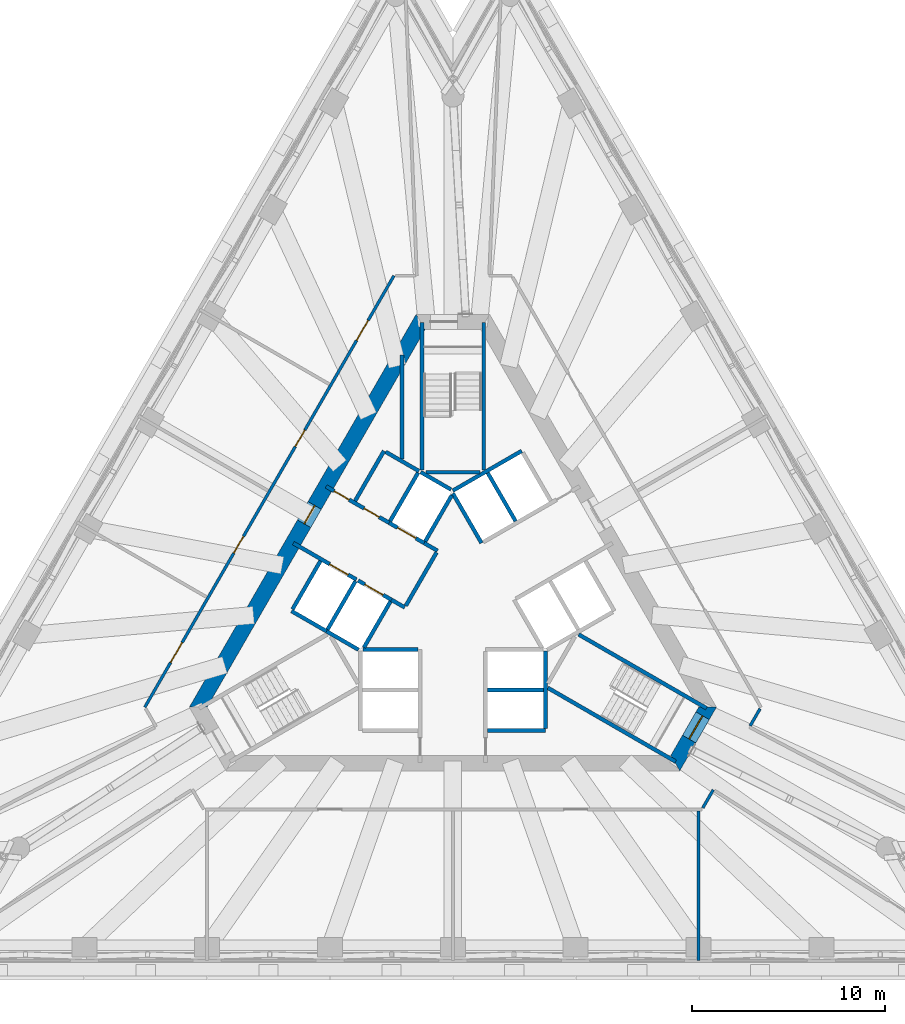
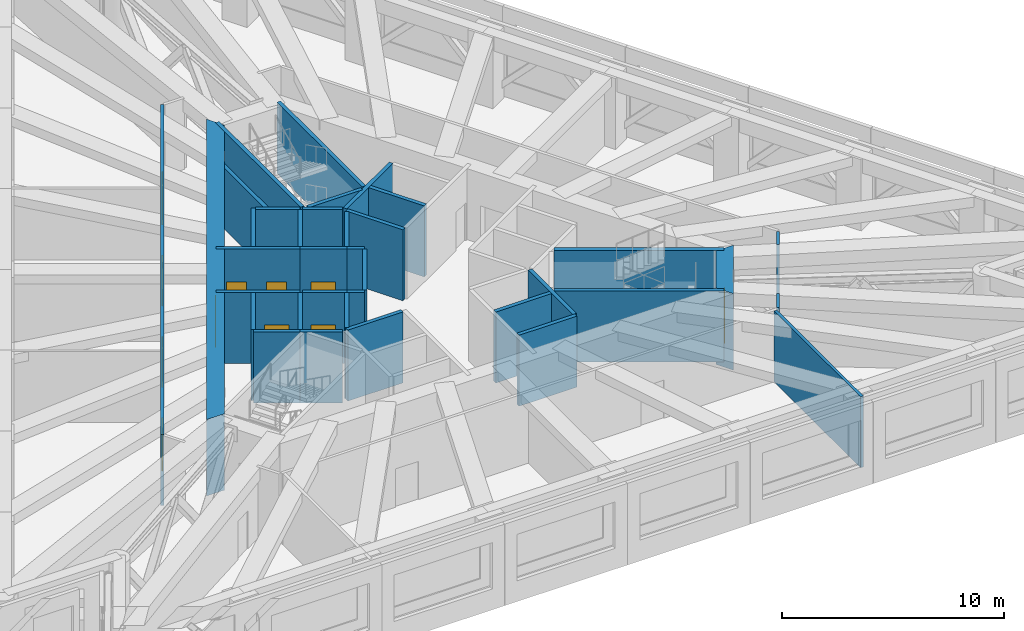
# One storey, part 8 of 13: 36 walls, 11 doors, 11 openings.
"""IFC4 building model written with IfcOpenShell, lengths in metres."""

import ifcopenshell
import ifcopenshell.guid

model = None  # the IFC model being written
_history = None  # IfcOwnerHistory: only IFC2X3 demands one
_inside = {}  # id of a spatial element -> (the spatial element, [elements in it])
_under = {}  # id of a project, library or spatial element -> (it, [spatial elements below it])
_declared = {}  # id of a project -> (the project, [libraries it declares])
_typed = {}  # id of a type object -> (the type object, [elements of that type])
_made_of = {}  # id of a material, layer set ... -> (it, [elements and type objects made of it])


def new_model(schema):
    """Start an empty IFC model of exactly this schema.

    Asked for "IFC4X3", IfcOpenShell would pick the latest addendum, in which some entities
    have other attributes; the version numbers below select the first issue.
    IFC2X3 requires an IfcOwnerHistory on every rooted entity: one is made here for all.
    """
    global model, _history
    if schema == "IFC4X3":
        model = ifcopenshell.file(schema_version=(4, 3, 0, 0))
    else:
        model = ifcopenshell.file(schema=schema)
    _inside.clear()
    _under.clear()
    _declared.clear()
    _typed.clear()
    _made_of.clear()
    _history = None
    if model.schema == "IFC2X3":
        org = make("IfcOrganization", Name="unknown")
        user = make(
            "IfcPersonAndOrganization",
            ThePerson=make("IfcPerson", FamilyName="unknown"),
            TheOrganization=org,
        )
        app = make(
            "IfcApplication",
            ApplicationDeveloper=org,
            Version="unknown",
            ApplicationFullName="unknown",
            ApplicationIdentifier="unknown",
        )
        _history = make(
            "IfcOwnerHistory",
            OwningUser=user,
            OwningApplication=app,
            ChangeAction="ADDED",
            CreationDate=0,
        )
    return model


def make(cls, **values):
    """One entity of the class cls with the attributes given. An attribute that is None is left unset."""
    return model.create_entity(
        cls, **{name: value for name, value in values.items() if value is not None}
    )


def rooted(cls, **values):
    """An entity with a GlobalId (a new one), such as an element, a storey or a relation."""
    return make(cls, GlobalId=ifcopenshell.guid.new(), OwnerHistory=_history, **values)


def si_unit(unit_type, name, prefix=None):
    """IfcSIUnit, for example si_unit("LENGTHUNIT", "METRE", prefix="MILLI")."""
    return make("IfcSIUnit", UnitType=unit_type, Prefix=prefix, Name=name)


def assignment(units):
    """IfcUnitAssignment: the units of a project."""
    return None if units is None else make("IfcUnitAssignment", Units=units)


def point(xyz):
    """IfcCartesianPoint."""
    return None if xyz is None else make("IfcCartesianPoint", Coordinates=xyz)


def direction(xyz):
    """IfcDirection."""
    return None if xyz is None else make("IfcDirection", DirectionRatios=xyz)


def frame(location, z_axis=None, x_axis=None):
    """IfcAxis2Placement3D, a coordinate frame: its origin and axes. An axis left out is left unset."""
    return make(
        "IfcAxis2Placement3D",
        Location=point(location),
        Axis=direction(z_axis),
        RefDirection=direction(x_axis),
    )


def frame_2d(location, x_axis=None):
    """IfcAxis2Placement2D, a coordinate frame in the plane: its origin and x axis."""
    return make(
        "IfcAxis2Placement2D", Location=point(location), RefDirection=direction(x_axis)
    )


def origin():
    """The frame at (0, 0, 0) with its axes left unset."""
    return frame((0.0, 0.0, 0.0))


def place(relative_to, where):
    """IfcLocalPlacement: puts the frame where relative to a parent placement (None: the world)."""
    return make(
        "IfcLocalPlacement", PlacementRelTo=relative_to, RelativePlacement=where
    )


def context(
    kind, dimensions, precision=None, world=None, true_north=None, identifier=None
):
    """IfcGeometricRepresentationContext, for example the 3D "Model" context."""
    return make(
        "IfcGeometricRepresentationContext",
        ContextIdentifier=identifier,
        ContextType=kind,
        CoordinateSpaceDimension=dimensions,
        Precision=precision,
        WorldCoordinateSystem=world,
        TrueNorth=true_north,
    )


def subcontext(parent, identifier, kind, view, scale=None):
    """IfcGeometricRepresentationSubContext, for example "Body" below "Model"."""
    return make(
        "IfcGeometricRepresentationSubContext",
        ContextIdentifier=identifier,
        ContextType=kind,
        ParentContext=parent,
        TargetScale=scale,
        TargetView=view,
    )


def project(units=None, contexts=None):
    """IfcProject with its units and contexts."""
    return rooted(
        "IfcProject",
        Name="project",
        RepresentationContexts=contexts,
        UnitsInContext=assignment(units),
    )


def spatial(cls, under=None, at=None, **own):
    """A site, building, storey or space (cls), placed at a placement, below another one or the project."""
    s = rooted(cls, ObjectPlacement=at, **own)
    if under is not None:
        _under.setdefault(under.id(), (under, []))[1].append(s)
    return s


def polyline(points):
    """IfcPolyline through the points."""
    return make("IfcPolyline", Points=[point(p) for p in points])


def profile(cls, at=None, kind="AREA", **sizes):
    """A parametric profile (cls). Its sizes go by their IFC names, for example OverallWidth=200.0."""
    return make(cls, ProfileType=kind, Position=at, **sizes)


def rectangle(**sizes):
    """IfcRectangleProfileDef."""
    return profile("IfcRectangleProfileDef", **sizes)


def outline(outer, holes=None, kind="AREA"):
    """IfcArbitraryClosedProfileDef: a profile drawn as a closed curve; with holes, ...WithVoids."""
    if holes is None:
        return make("IfcArbitraryClosedProfileDef", ProfileType=kind, OuterCurve=outer)
    return make(
        "IfcArbitraryProfileDefWithVoids",
        ProfileType=kind,
        OuterCurve=outer,
        InnerCurves=holes,
    )


def extrude(swept, where, along, depth):
    """IfcExtrudedAreaSolid: the profile swept, set in the frame where, extruded along a direction by depth."""
    return make(
        "IfcExtrudedAreaSolid",
        SweptArea=swept,
        Position=where,
        ExtrudedDirection=direction(along),
        Depth=depth,
    )


def shape(context_of_items, identifier, shape_type, items):
    """IfcShapeRepresentation: the items that make up one representation, for example the "Body"."""
    return make(
        "IfcShapeRepresentation",
        ContextOfItems=context_of_items,
        RepresentationIdentifier=identifier,
        RepresentationType=shape_type,
        Items=items,
    )


def material(Name=None, Category=None):
    """IfcMaterial."""
    return make("IfcMaterial", Name=Name, Category=Category)


def layer(
    of_material, thickness, ventilated=None, Name=None, Category=None, Priority=None
):
    """IfcMaterialLayer: one layer of a wall or slab, of a material (None: an air gap)."""
    return make(
        "IfcMaterialLayer",
        Material=of_material,
        LayerThickness=thickness,
        IsVentilated=ventilated,
        Name=Name,
        Category=Category,
        Priority=Priority,
    )


def layer_set(layers, Name=None):
    """IfcMaterialLayerSet."""
    return make("IfcMaterialLayerSet", MaterialLayers=layers, LayerSetName=Name)


def made_of(thing, what):
    """Note that an element or type object is made of a material, layer set ...; save() writes the relation."""
    if what is not None:
        _made_of.setdefault(what.id(), (what, []))[1].append(thing)
    return thing


def type_object(cls, material=None, **own):
    """A type object (cls), such as IfcWallType, which elements share."""
    return made_of(rooted(cls, **own), material)


def element(
    cls,
    number,
    at=None,
    inside=None,
    cuts=None,
    type_object=None,
    material=None,
    context=None,
    identifier="Body",
    shape_type=None,
    held_by="IfcProductDefinitionShape",
    body=None,
    shapes=None,
    **own,
):
    """One element of the class cls, such as IfcWall. Its Tag is "e" and its number.

    at: its placement. inside: the storey or other place that contains it. cuts: it is an
    opening in that element (IfcRelVoidsElement). A single representation is given by context,
    identifier, shape_type and body (its items); several are given by shapes. held_by: the class
    of the entity that holds the representations. save() writes the other relations.
    """
    e = rooted(cls, Tag="e%d" % number, ObjectPlacement=at, **own)
    if body is not None:
        shapes = [shape(context, identifier, shape_type, body)]
    if shapes is not None:
        e.Representation = make(held_by, Representations=shapes)
    if inside is not None:
        _inside.setdefault(inside.id(), (inside, []))[1].append(e)
    if cuts is not None:
        rooted(
            "IfcRelVoidsElement", RelatingBuildingElement=cuts, RelatedOpeningElement=e
        )
    if type_object is not None:
        _typed.setdefault(type_object.id(), (type_object, []))[1].append(e)
    return made_of(e, material)


def fill(opening, filler):
    """IfcRelFillsElement: the door or window that sits in an opening."""
    return rooted(
        "IfcRelFillsElement",
        RelatingOpeningElement=opening,
        RelatedBuildingElement=filler,
    )


def aggregate(whole, parts):
    """IfcRelAggregates: a whole, such as a stair, and the parts it consists of."""
    return rooted("IfcRelAggregates", RelatingObject=whole, RelatedObjects=parts)


def save(model, path):
    """Write the relations noted so far, then the file.

    IfcRelAggregates (storeys below a building ...), IfcRelContainedInSpatialStructure (elements
    in a storey), IfcRelDefinesByType, IfcRelAssociatesMaterial and IfcRelDeclares: one each for
    every whole, place, type object, material and project.
    """
    for whole, parts in _under.values():
        aggregate(whole, parts)
    for where, things in _inside.values():
        rooted(
            "IfcRelContainedInSpatialStructure",
            RelatedElements=things,
            RelatingStructure=where,
        )
    for kind, things in _typed.values():
        rooted("IfcRelDefinesByType", RelatedObjects=things, RelatingType=kind)
    for what, things in _made_of.values():
        rooted("IfcRelAssociatesMaterial", RelatedObjects=things, RelatingMaterial=what)
    for by, libraries in _declared.values():
        rooted("IfcRelDeclares", RelatingContext=by, RelatedDefinitions=libraries)
    model.write(path)


model = new_model("IFC4")

# Units and contexts
model_context = context("Model", 3, precision=1e-05, world=origin(), true_north=direction((0.0, 1.0)))
body_context = subcontext(model_context, "Body", "Model", "MODEL_VIEW")
ifc_project = project(units=[si_unit("LENGTHUNIT", "METRE"), si_unit("AREAUNIT", "SQUARE_METRE"), si_unit("VOLUMEUNIT", "CUBIC_METRE"), si_unit("PLANEANGLEUNIT", "RADIAN"), si_unit("MASSUNIT", "GRAM", prefix="KILO")], contexts=[model_context])

# Site, building, storey
site_placement = place(None, origin())
site = spatial("IfcSite", under=ifc_project, at=site_placement, CompositionType="ELEMENT")
building_placement = place(site_placement, origin())
building = spatial("IfcBuilding", under=site, at=building_placement, Name="Triada Interchange Tower", CompositionType="ELEMENT")
storey_placement = place(building_placement, frame((0.0, 0.0, 176.300048828125)))
storey = spatial("IfcBuildingStorey", under=building, at=storey_placement, Name="L41", CompositionType="ELEMENT", Elevation=176.300048828125)

# Walls
ifc_material_1 = material(Name="Concrete C30/37", Category="concrete")
ifc_layer_1 = layer(ifc_material_1, 0.199951171875)
ifc_layer_set_1 = layer_set([ifc_layer_1], Name="CORE WALL 200 EI 120")
wall_type_1 = type_object("IfcWallType", Name="CORE WALL 200 EI 120", PredefinedType="SOLIDWALL", material=ifc_layer_set_1)
wall_1_placement = place(storey_placement, frame((-8.3759765625, -0.70703125, 0.0), z_axis=(0.0, 0.0, 1.0), x_axis=(0.866067520717, -0.499927044236, 0.0)))
element("IfcWall", 1, at=wall_1_placement, inside=storey, type_object=wall_type_1, Name="Wall L41 23", PredefinedType="SOLIDWALL", context=body_context, shape_type="SweptSolid", body=[
    extrude(rectangle(XDim=2.100341796875, YDim=0.199951171875, at=frame_2d((1.05029296875, 0.0))), origin(), (0.0, 0.0, 1.0), 3.89990234375),
])
wall_2_placement = place(storey_placement, frame((-8.325927734375, -0.6201171875, 0.0), z_axis=(0.0, 0.0, 1.0), x_axis=(0.500023687443, 0.866011727401, 0.0)))
element("IfcWall", 2, at=wall_2_placement, inside=storey, type_object=wall_type_1, Name="Wall L41 24", PredefinedType="SOLIDWALL", context=body_context, shape_type="SweptSolid", body=[
    extrude(rectangle(XDim=2.899658203125, YDim=0.199951171875, at=frame_2d((1.44970703125, 0.0))), origin(), (0.0, 0.0, 1.0), 3.89990234375),
])
wall_3_placement = place(storey_placement, frame((1.800048828125, -6.89990234375, 0.0), z_axis=(0.0, 0.0, 1.0), x_axis=(1.0, 0.0, 0.0)))
element("IfcWall", 3, at=wall_3_placement, inside=storey, type_object=wall_type_1, Name="Wall L41 27", PredefinedType="SOLIDWALL", context=body_context, shape_type="SweptSolid", body=[
    extrude(rectangle(XDim=3.0, YDim=0.199951171875, at=frame_2d((1.5, 0.0))), origin(), (0.0, 0.0, 1.0), 3.89990234375),
])
wall_4_placement = place(storey_placement, frame((1.800048828125, -4.800048828125, 0.0), z_axis=(0.0, 0.0, 1.0), x_axis=(1.0, 0.0, 0.0)))
element("IfcWall", 4, at=wall_4_placement, inside=storey, type_object=wall_type_1, Name="Wall L41 29", PredefinedType="SOLIDWALL", context=body_context, shape_type="SweptSolid", body=[
    extrude(rectangle(XDim=2.89990234375, YDim=0.199951171875, at=frame_2d((1.449951171875, 0.0))), origin(), (0.0, 0.0, 1.0), 3.89990234375),
])
wall_5_placement = place(storey_placement, frame((-4.676025390625, -2.699951171875, 0.0), z_axis=(0.0, 0.0, 1.0), x_axis=(1.0, 0.0, 0.0)))
element("IfcWall", 5, at=wall_5_placement, inside=storey, type_object=wall_type_1, Name="Wall L41 31", PredefinedType="SOLIDWALL", context=body_context, shape_type="SweptSolid", body=[
    extrude(rectangle(XDim=2.873046875, YDim=0.199951171875, at=frame_2d((1.4365234375, 0.0))), origin(), (0.0, 0.0, 1.0), 3.89990234375),
])
wall_6_placement = place(storey_placement, frame((-0.001953125, 5.5419921875, 0.0), z_axis=(0.0, 0.0, 1.0), x_axis=(0.866103910842, 0.499863997127, 0.0)))
element("IfcWall", 6, at=wall_6_placement, inside=storey, type_object=wall_type_1, Name="Wall L41 33", PredefinedType="SOLIDWALL", context=body_context, shape_type="SweptSolid", body=[
    extrude(rectangle(XDim=4.131103515625, YDim=0.199951171875, at=frame_2d((2.0654296875, 0.0))), origin(), (0.0, 0.0, 1.0), 3.89990234375),
])
wall_7_placement = place(storey_placement, frame((0.0, 5.39990234375, 0.0), z_axis=(0.0, 0.0, 1.0), x_axis=(0.500103862429, -0.865965430478, 0.0)))
element("IfcWall", 7, at=wall_7_placement, inside=storey, type_object=wall_type_1, Name="Wall L41 34", PredefinedType="SOLIDWALL", context=body_context, shape_type="SweptSolid", body=[
    extrude(rectangle(XDim=2.973388671875, YDim=0.199951171875, at=frame_2d((1.48681640625, 0.0))), origin(), (0.0, 0.0, 1.0), 3.89990234375),
])
wall_8_placement = place(storey_placement, frame((4.800048828125, -6.800048828125, 0.0), z_axis=(0.0, 0.0, 1.0), x_axis=(0.0, 1.0, 0.0)))
element("IfcWall", 8, at=wall_8_placement, inside=storey, type_object=wall_type_1, Name="Wall L41 38", PredefinedType="SOLIDWALL", context=body_context, shape_type="SweptSolid", body=[
    extrude(rectangle(XDim=4.029052734375, YDim=0.199951171875, at=frame_2d((2.0146484375, 0.0))), origin(), (0.0, 0.0, 1.0), 3.89990234375),
])
wall_9_placement = place(storey_placement, frame((1.806884765625, 6.469970703125, 0.0), z_axis=(0.0, 0.0, 1.0), x_axis=(0.50012328804, -0.865954211699, 0.0)))
element("IfcWall", 9, at=wall_9_placement, inside=storey, type_object=wall_type_1, Name="Wall L41 41", PredefinedType="SOLIDWALL", context=body_context, shape_type="SweptSolid", body=[
    extrude(rectangle(XDim=2.899658203125, YDim=0.199951171875, at=frame_2d((1.44970703125, 0.0))), origin(), (0.0, 0.0, 1.0), 3.89990234375),
])

# Wall, opening, door
ifc_layer_2 = layer(ifc_material_1, 0.199951171875)
ifc_layer_set_2 = layer_set([ifc_layer_2], Name="CORE WALL 200 EI 180")
wall_type_2 = type_object("IfcWallType", Name="CORE WALL 200 EI 180", PredefinedType="SOLIDWALL", material=ifc_layer_set_2)
wall_10_placement = place(storey_placement, frame((-8.280029296875, 2.818115234375, 0.0), z_axis=(0.0, 0.0, 1.0), x_axis=(0.86600175068, -0.50004096614, 0.0)))
wall_10 = element("IfcWall", 10, at=wall_10_placement, inside=storey, type_object=wall_type_2, Name="Wall L41 45", PredefinedType="SOLIDWALL", context=body_context, shape_type="SweptSolid", body=[
    extrude(rectangle(XDim=3.781982421875, YDim=0.199951171875, at=frame_2d((1.89111328125, 0.0))), origin(), (0.0, 0.0, 1.0), 3.89990234375),
])
opening_1_placement = place(wall_10_placement, frame((2.179931640625, 0.0, 0.0)))
opening_1 = element("IfcOpeningElement", 11, at=opening_1_placement, cuts=wall_10, Name="Opening LD-SV1", PredefinedType="OPENING", context=body_context, shape_type="SweptSolid", body=[
    extrude(rectangle(XDim=1.10009765625, YDim=2.10009765625, at=frame_2d((0.550048828125, 1.050048828125))), frame((0.0, 0.10986328125, 0.0), z_axis=(0.0, -1.0, 0.0), x_axis=(1.0, 0.0, 0.0)), (0.0, 0.0, 1.0), 0.219970703125),
])
ifc_material_2 = material(Name="Steel S235 door leaf", Category="steel")
door_type_1 = type_object("IfcDoorType", Name="LIFT LANDING DOOR 1100 EI 120", OperationType="SLIDING_TO_LEFT", PredefinedType="DOOR", material=ifc_material_2)
door_1_placement = place(opening_1_placement, origin())
door_1 = element("IfcDoor", 12, at=door_1_placement, inside=storey, type_object=door_type_1, Name="SV1 landing door L41", OperationType="SLIDING_TO_LEFT", OverallHeight=2.10009765625, OverallWidth=1.10009765625, PredefinedType="DOOR", context=body_context, shape_type="SweptSolid", body=[
    extrude(rectangle(XDim=1.10009765625, YDim=2.10009765625, at=frame_2d((0.550048828125, 1.050048828125))), frame((0.0, 0.02490234375, 0.0), z_axis=(0.0, -1.0, 0.0), x_axis=(1.0, 0.0, 0.0)), (0.0, 0.0, 1.0), 0.050048828125),
])
fill(opening_1, door_1)

# Wall
wall_11_placement = place(storey_placement, frame((-3.18798828125, -0.1220703125, 0.0), z_axis=(0.0, 0.0, 1.0), x_axis=(0.865705793592, -0.50055317294, 0.0)))
element("IfcWall", 13, at=wall_11_placement, inside=storey, type_object=wall_type_2, Name="Wall L41 46", PredefinedType="SOLIDWALL", context=body_context, shape_type="SweptSolid", body=[
    extrude(rectangle(XDim=0.796875, YDim=0.199951171875, at=frame_2d((0.3984375, 0.0))), origin(), (0.0, 0.0, 1.0), 3.89990234375),
])

# Wall, openings, doors
wall_12_placement = place(storey_placement, frame((-6.580078125, 5.761962890625, 0.0), z_axis=(0.0, 0.0, 1.0), x_axis=(0.866029704776, -0.49999255039, 0.0)))
wall_12 = element("IfcWall", 14, at=wall_12_placement, inside=storey, type_object=wall_type_2, Name="Wall L41 47", PredefinedType="SOLIDWALL", context=body_context, shape_type="SweptSolid", body=[
    extrude(rectangle(XDim=3.78173828125, YDim=0.199951171875, at=frame_2d((1.890869140625, 0.0))), origin(), (0.0, 0.0, 1.0), 3.89990234375),
])
opening_2_placement = place(wall_12_placement, frame((2.279052734375, 0.0, 0.0)))
opening_2 = element("IfcOpeningElement", 15, at=opening_2_placement, cuts=wall_12, Name="Opening D41-04", PredefinedType="OPENING", context=body_context, shape_type="SweptSolid", body=[
    extrude(rectangle(XDim=0.89990234375, YDim=2.10009765625, at=frame_2d((0.449951171875, 1.050048828125))), frame((0.0, 0.10986328125, 0.0), z_axis=(0.0, -1.0, 0.0), x_axis=(1.0, 0.0, 0.0)), (0.0, 0.0, 1.0), 0.219970703125),
])
opening_3_placement = place(wall_12_placement, frame((0.47900390625, 0.0, 0.0)))
opening_3 = element("IfcOpeningElement", 16, at=opening_3_placement, cuts=wall_12, Name="Opening D41-21", PredefinedType="OPENING", context=body_context, shape_type="SweptSolid", body=[
    extrude(rectangle(XDim=0.89990234375, YDim=2.10009765625, at=frame_2d((0.449951171875, 1.050048828125))), frame((0.0, 0.10986328125, 0.0), z_axis=(0.0, -1.0, 0.0), x_axis=(1.0, 0.0, 0.0)), (0.0, 0.0, 1.0), 0.219970703125),
])
door_type_2 = type_object("IfcDoorType", Name="RISER ACCESS DOOR 900 EI2 45-C5S200", OperationType="NOTDEFINED", PredefinedType="DOOR", material=ifc_material_2)
door_2_placement = place(opening_3_placement, origin())
door_2 = element("IfcDoor", 17, at=door_2_placement, inside=storey, type_object=door_type_2, Name="Door D41-21 L41", OperationType="SINGLE_SWING_LEFT", OverallHeight=2.10009765625, OverallWidth=0.89990234375, PredefinedType="DOOR", context=body_context, shape_type="SweptSolid", body=[
    extrude(rectangle(XDim=0.89990234375, YDim=2.10009765625, at=frame_2d((0.449951171875, 1.050048828125))), frame((0.0, 0.02490234375, 0.0), z_axis=(0.0, -1.0, 0.0), x_axis=(1.0, 0.0, 0.0)), (0.0, 0.0, 1.0), 0.050048828125),
])
fill(opening_3, door_2)
door_type_3 = type_object("IfcDoorType", Name="SERVICE DOOR 900 EI2 90-C5S200", OperationType="NOTDEFINED", PredefinedType="DOOR", material=ifc_material_2)
door_3_placement = place(opening_2_placement, origin())
door_3 = element("IfcDoor", 18, at=door_3_placement, inside=storey, type_object=door_type_3, Name="Door D41-04 L41", OperationType="SINGLE_SWING_LEFT", OverallHeight=2.10009765625, OverallWidth=0.89990234375, PredefinedType="DOOR", context=body_context, shape_type="SweptSolid", body=[
    extrude(rectangle(XDim=0.89990234375, YDim=2.10009765625, at=frame_2d((0.449951171875, 1.050048828125))), frame((0.0, 0.02490234375, 0.0), z_axis=(0.0, -1.0, 0.0), x_axis=(1.0, 0.0, 0.0)), (0.0, 0.0, 1.0), 0.050048828125),
])
fill(opening_2, door_3)

# Walls
wall_13_placement = place(storey_placement, frame((-1.488037109375, 2.822021484375, 0.0), z_axis=(0.0, 0.0, 1.0), x_axis=(0.866236612152, -0.499633997809, 0.0)))
element("IfcWall", 19, at=wall_13_placement, inside=storey, type_object=wall_type_2, Name="Wall L41 48", PredefinedType="SOLIDWALL", context=body_context, shape_type="SweptSolid", body=[
    extrude(rectangle(XDim=0.79638671875, YDim=0.199951171875, at=frame_2d((0.398193359375, 0.0))), origin(), (0.0, 0.0, 1.0), 3.89990234375),
])
wall_14_placement = place(storey_placement, frame((-5.075927734375, 5.009033203125, 0.0), z_axis=(0.0, 0.0, 1.0), x_axis=(0.50002537861, 0.866010750942, 0.0)))
element("IfcWall", 20, at=wall_14_placement, inside=storey, type_object=wall_type_2, Name="Wall L41 49", PredefinedType="SOLIDWALL", context=body_context, shape_type="SweptSolid", body=[
    extrude(rectangle(XDim=2.999755859375, YDim=0.199951171875, at=frame_2d((1.5, 0.0))), origin(), (0.0, 0.0, 1.0), 3.89990234375),
])
wall_15_placement = place(storey_placement, frame((-3.489013671875, 7.556884765625, 0.0), z_axis=(0.0, 0.0, 1.0), x_axis=(0.866010750942, -0.50002537861, 0.0)))
element("IfcWall", 21, at=wall_15_placement, inside=storey, type_object=wall_type_2, Name="Wall L41 50", PredefinedType="SOLIDWALL", context=body_context, shape_type="SweptSolid", body=[
    extrude(rectangle(XDim=2.0, YDim=0.199951171875, at=frame_2d((1.0, 0.0))), origin(), (0.0, 0.0, 1.0), 3.89990234375),
])
wall_16_placement = place(storey_placement, frame((-2.444091796875, -0.43310546875, 0.0), z_axis=(0.0, 0.0, 1.0), x_axis=(0.500035624827, 0.866004834804, 0.0)))
element("IfcWall", 22, at=wall_16_placement, inside=storey, type_object=wall_type_2, Name="Wall L41 51", PredefinedType="SOLIDWALL", context=body_context, shape_type="SweptSolid", body=[
    extrude(rectangle(XDim=3.194091796875, YDim=0.199951171875, at=frame_2d((1.59716796875, 0.0))), origin(), (0.0, 0.0, 1.0), 3.89990234375),
])
wall_17_placement = place(storey_placement, frame((-6.556884765625, -1.757080078125, 0.0), z_axis=(0.0, 0.0, 1.0), x_axis=(0.8659754619, -0.500086491905, 0.0)))
element("IfcWall", 23, at=wall_17_placement, inside=storey, type_object=wall_type_2, Name="Shaft wall FF1 L41 52", PredefinedType="SOLIDWALL", context=body_context, shape_type="SweptSolid", body=[
    extrude(rectangle(XDim=1.915771484375, YDim=0.199951171875, at=frame_2d((0.9580078125, 0.0))), origin(), (0.0, 0.0, 1.0), 3.89990234375),
])
wall_18_placement = place(storey_placement, frame((-6.507080078125, -1.669921875, 0.0), z_axis=(0.0, 0.0, 1.0), x_axis=(0.50012328804, 0.865954211699, 0.0)))
element("IfcWall", 24, at=wall_18_placement, inside=storey, type_object=wall_type_2, Name="Shaft wall FF1 L41 53", PredefinedType="SOLIDWALL", context=body_context, shape_type="SweptSolid", body=[
    extrude(rectangle(XDim=2.899658203125, YDim=0.199951171875, at=frame_2d((1.44970703125, 0.0))), origin(), (0.0, 0.0, 1.0), 3.89990234375),
])

# Wall, opening, door
wall_19_placement = place(storey_placement, frame((-4.919921875, 0.8779296875, 0.0), z_axis=(0.0, 0.0, 1.0), x_axis=(0.866010750942, -0.50002537861, 0.0)))
wall_19 = element("IfcWall", 25, at=wall_19_placement, inside=storey, type_object=wall_type_2, Name="Shaft wall FF1 L41 54", PredefinedType="SOLIDWALL", context=body_context, shape_type="SweptSolid", body=[
    extrude(rectangle(XDim=2.0, YDim=0.199951171875, at=frame_2d((1.0, 0.0))), origin(), (0.0, 0.0, 1.0), 3.89990234375),
])
opening_4_placement = place(wall_19_placement, frame((0.39990234375, 0.0, 0.0)))
opening_4 = element("IfcOpeningElement", 26, at=opening_4_placement, cuts=wall_19, Name="Opening LD-FF1", PredefinedType="OPENING", context=body_context, shape_type="SweptSolid", body=[
    extrude(rectangle(XDim=1.10009765625, YDim=2.10009765625, at=frame_2d((0.550048828125, 1.050048828125))), frame((0.0, 0.10986328125, 0.0), z_axis=(0.0, -1.0, 0.0), x_axis=(1.0, 0.0, 0.0)), (0.0, 0.0, 1.0), 0.219970703125),
])
door_4_placement = place(opening_4_placement, origin())
door_4 = element("IfcDoor", 27, at=door_4_placement, inside=storey, type_object=door_type_1, Name="FF1 landing door L41", OperationType="SLIDING_TO_LEFT", OverallHeight=2.10009765625, OverallWidth=1.10009765625, PredefinedType="DOOR", context=body_context, shape_type="SweptSolid", body=[
    extrude(rectangle(XDim=1.10009765625, YDim=2.10009765625, at=frame_2d((0.550048828125, 1.050048828125))), frame((0.0, 0.02490234375, 0.0), z_axis=(0.0, -1.0, 0.0), x_axis=(1.0, 0.0, 0.0)), (0.0, 0.0, 1.0), 0.050048828125),
])
fill(opening_4, door_4)

# Wall
wall_20_placement = place(storey_placement, frame((-4.618896484375, -2.60009765625, 0.0), z_axis=(0.0, 0.0, 1.0), x_axis=(0.50009492287, 0.865970593103, 0.0)))
element("IfcWall", 28, at=wall_20_placement, inside=storey, type_object=wall_type_2, Name="Shaft wall FF1 L41 55", PredefinedType="SOLIDWALL", context=body_context, shape_type="SweptSolid", body=[
    extrude(rectangle(XDim=2.76123046875, YDim=0.199951171875, at=frame_2d((1.380615234375, 0.0))), origin(), (0.0, 0.0, 1.0), 3.89990234375),
])

# Wall, opening, door
wall_21_placement = place(storey_placement, frame((-3.30908203125, 3.873046875, 0.0), z_axis=(0.0, 0.0, 1.0), x_axis=(0.866098583652, -0.499873227325, 0.0)))
wall_21 = element("IfcWall", 29, at=wall_21_placement, inside=storey, type_object=wall_type_2, Name="Shaft wall FF2 L41 56", PredefinedType="SOLIDWALL", context=body_context, shape_type="SweptSolid", body=[
    extrude(rectangle(XDim=2.1025390625, YDim=0.199951171875, at=frame_2d((1.05126953125, 0.0))), origin(), (0.0, 0.0, 1.0), 3.89990234375),
])
opening_5_placement = place(wall_21_placement, frame((0.501953125, 0.0, 0.0)))
opening_5 = element("IfcOpeningElement", 30, at=opening_5_placement, cuts=wall_21, Name="Opening LD-FF2", PredefinedType="OPENING", context=body_context, shape_type="SweptSolid", body=[
    extrude(rectangle(XDim=1.10009765625, YDim=2.10009765625, at=frame_2d((0.550048828125, 1.050048828125))), frame((0.0, 0.10986328125, 0.0), z_axis=(0.0, -1.0, 0.0), x_axis=(1.0, 0.0, 0.0)), (0.0, 0.0, 1.0), 0.219970703125),
])
door_5_placement = place(opening_5_placement, origin())
door_5 = element("IfcDoor", 31, at=door_5_placement, inside=storey, type_object=door_type_1, Name="FF2 landing door L41", OperationType="SLIDING_TO_LEFT", OverallHeight=2.10009765625, OverallWidth=1.10009765625, PredefinedType="DOOR", context=body_context, shape_type="SweptSolid", body=[
    extrude(rectangle(XDim=1.10009765625, YDim=2.10009765625, at=frame_2d((0.550048828125, 1.050048828125))), frame((0.0, 0.02490234375, 0.0), z_axis=(0.0, -1.0, 0.0), x_axis=(1.0, 0.0, 0.0)), (0.0, 0.0, 1.0), 0.050048828125),
])
fill(opening_5, door_5)

# Walls
wall_22_placement = place(storey_placement, frame((-3.257080078125, 3.958984375, 0.0), z_axis=(0.0, 0.0, 1.0), x_axis=(0.50012328804, 0.865954211699, 0.0)))
element("IfcWall", 32, at=wall_22_placement, inside=storey, type_object=wall_type_2, Name="Shaft wall FF2 L41 57", PredefinedType="SOLIDWALL", context=body_context, shape_type="SweptSolid", body=[
    extrude(rectangle(XDim=2.899658203125, YDim=0.199951171875, at=frame_2d((1.44970703125, 0.0))), origin(), (0.0, 0.0, 1.0), 3.89990234375),
])
wall_23_placement = place(storey_placement, frame((-1.669921875, 6.507080078125, 0.0), z_axis=(0.0, 0.0, 1.0), x_axis=(0.865941441609, -0.500145398563, 0.0)))
element("IfcWall", 33, at=wall_23_placement, inside=storey, type_object=wall_type_2, Name="Shaft wall FF2 L41 58", PredefinedType="SOLIDWALL", context=body_context, shape_type="SweptSolid", body=[
    extrude(rectangle(XDim=1.8154296875, YDim=0.199951171875, at=frame_2d((0.90771484375, 0.0))), origin(), (0.0, 0.0, 1.0), 3.89990234375),
])
wall_24_placement = place(storey_placement, frame((-1.43798828125, 2.908935546875, 0.0), z_axis=(0.0, 0.0, 1.0), x_axis=(0.499829630636, 0.866123744241, 0.0)))
element("IfcWall", 34, at=wall_24_placement, inside=storey, type_object=wall_type_2, Name="Shaft wall FF2 L41 59", PredefinedType="SOLIDWALL", context=body_context, shape_type="SweptSolid", body=[
    extrude(rectangle(XDim=2.7607421875, YDim=0.199951171875, at=frame_2d((1.38037109375, 0.0))), origin(), (0.0, 0.0, 1.0), 3.89990234375),
])
ifc_layer_3 = layer(ifc_material_1, 0.199951171875)
ifc_layer_set_3 = layer_set([ifc_layer_3], Name="CORE WALL 200 EI 90")
wall_type_3 = type_object("IfcWallType", Name="CORE WALL 200 EI 90", PredefinedType="SOLIDWALL", material=ifc_layer_set_3)
wall_25_placement = place(storey_placement, frame((-2.64404296875, 7.18505859375, 0.0), z_axis=(0.0, 0.0, 1.0), x_axis=(0.0, 1.0, 0.0)))
element("IfcWall", 35, at=wall_25_placement, inside=storey, type_object=wall_type_3, Name="Wall L41 60", PredefinedType="SOLIDWALL", context=body_context, shape_type="SweptSolid", body=[
    extrude(rectangle(XDim=5.39501953125, YDim=0.199951171875, at=frame_2d((2.697509765625, 0.0))), origin(), (0.0, 0.0, 1.0), 3.349853515625),
])
ifc_layer_4 = layer(ifc_material_1, 0.199951171875)
ifc_layer_set_4 = layer_set([ifc_layer_4], Name="CORE WALL 200 REI 240")
wall_type_4 = type_object("IfcWallType", Name="CORE WALL 200 REI 240", PredefinedType="SOLIDWALL", material=ifc_layer_set_4)
wall_26_placement = place(storey_placement, frame((1.60009765625, 6.614990234375, 0.0), z_axis=(0.0, 0.0, 1.0), x_axis=(0.0, 1.0, 0.0)))
element("IfcWall", 36, at=wall_26_placement, inside=storey, type_object=wall_type_4, Name="Wall L41 64", PredefinedType="SOLIDWALL", context=body_context, shape_type="SweptSolid", body=[
    extrude(rectangle(XDim=7.6650390625, YDim=0.199951171875, at=frame_2d((3.83251953125, 0.0))), origin(), (0.0, 0.0, 1.0), 3.89990234375),
])
wall_27_placement = place(storey_placement, frame((-1.39990234375, 6.5, 0.0), z_axis=(0.0, 0.0, 1.0), x_axis=(1.0, 0.0, 0.0)))
element("IfcWall", 37, at=wall_27_placement, inside=storey, type_object=wall_type_4, Name="Wall L41 65", PredefinedType="SOLIDWALL", context=body_context, shape_type="SweptSolid", body=[
    extrude(rectangle(XDim=2.7998046875, YDim=0.199951171875, at=frame_2d((1.39990234375, 0.0))), origin(), (0.0, 0.0, 1.0), 3.89990234375),
])
for number, where, z_axis, x_axis, name in (
    (38, (-1.60009765625, 6.614990234375, 0.0), (0.0, 0.0, 1.0), (0.0, 1.0, 0.0), "Wall L41 66"),
    (39, (4.928955078125, -4.693115234375, 0.0), (0.0, 0.0, 1.0), (0.866005769735, -0.50003400563, 0.0), "Wall L41 67"),
):
    element("IfcWall", number, at=place(storey_placement, frame(where, z_axis=z_axis, x_axis=x_axis)), inside=storey, type_object=wall_type_4, Name=name, PredefinedType="SOLIDWALL", context=body_context, shape_type="SweptSolid", body=[
        extrude(rectangle(XDim=7.6650390625, YDim=0.199951171875, at=frame_2d((3.83251953125, 0.0))), origin(), (0.0, 0.0, 1.0), 3.89990234375),
    ])
wall_28_placement = place(storey_placement, frame((6.529052734375, -1.922119140625, 0.0), z_axis=(0.0, 0.0, 1.0), x_axis=(0.866060938598, -0.499938446846, 0.0)))
element("IfcWall", 40, at=wall_28_placement, inside=storey, type_object=wall_type_4, Name="Wall L41 69", PredefinedType="SOLIDWALL", context=body_context, shape_type="SweptSolid", body=[
    extrude(rectangle(XDim=7.66455078125, YDim=0.199951171875, at=frame_2d((3.832275390625, 0.0))), origin(), (0.0, 0.0, 1.0), 3.89990234375),
])

# Wall, opening, door
ifc_material_3 = material(Name="Concrete C60/75", Category="concrete")
ifc_layer_5 = layer(ifc_material_3, 0.800048828125)
ifc_layer_set_5 = layer_set([ifc_layer_5], Name="Core wall B 800")
wall_type_5 = type_object("IfcWallType", Name="Core wall B 800", PredefinedType="SHEAR", material=ifc_layer_set_5)
wall_29_placement = place(storey_placement, frame((-1.674072265625, 14.300048828125, -0.300048828125), z_axis=(0.0, 0.0, 1.0), x_axis=(-0.499995765644, -0.866027848477, 0.0)))
wall_29 = element("IfcWall", 41, at=wall_29_placement, inside=storey, type_object=wall_type_5, Name="Core wall WB02 L41", PredefinedType="SHEAR", context=body_context, shape_type="SweptSolid", body=[
    extrude(outline(polyline([(-0.23095703125, -0.39990234375), (1.73193359375, -0.39990234375), (3.695068359375, -0.39990234375), (5.657958984375, -0.39990234375), (7.62109375, -0.39990234375), (9.583984375, -0.39990234375), (11.546875, -0.39990234375), (13.510009765625, -0.39990234375), (15.472900390625, -0.39990234375), (17.43603515625, -0.39990234375), (19.39892578125, -0.39990234375), (21.362060546875, -0.39990234375), (23.324951171875, -0.39990234375), (22.863037109375, 0.39990234375), (20.97705078125, 0.39990234375), (19.091064453125, 0.39990234375), (17.205078125, 0.39990234375), (15.319091796875, 0.39990234375), (13.43310546875, 0.39990234375), (11.546875, 0.39990234375), (9.660888671875, 0.39990234375), (7.77490234375, 0.39990234375), (5.888916015625, 0.39990234375), (4.0029296875, 0.39990234375), (2.116943359375, 0.39990234375), (0.23095703125, 0.39990234375), (-0.23095703125, -0.39990234375)])), origin(), (0.0, 0.0, 1.0), 4.199951171875),
])
opening_6_placement = place(wall_29_placement, frame((10.9970703125, 0.0, 0.300048828125)))
opening_6 = element("IfcOpeningElement", 42, at=opening_6_placement, cuts=wall_29, Name="Opening D41-19", PredefinedType="OPENING", context=body_context, shape_type="SweptSolid", body=[
    extrude(rectangle(XDim=1.10009765625, YDim=2.10009765625, at=frame_2d((0.550048828125, 1.050048828125))), frame((0.0, 0.409912109375, 0.0), z_axis=(0.0, -1.0, 0.0), x_axis=(1.0, 0.0, 0.0)), (0.0, 0.0, 1.0), 0.820068359375),
])
door_type_4 = type_object("IfcDoorType", Name="FIRE LOBBY DOOR 1100 EI2 90-C5S200", OperationType="NOTDEFINED", PredefinedType="DOOR", material=ifc_material_2)
door_6_placement = place(opening_6_placement, origin())
door_6 = element("IfcDoor", 43, at=door_6_placement, inside=storey, type_object=door_type_4, Name="Door D41-19 L41", OperationType="SINGLE_SWING_LEFT", OverallHeight=2.10009765625, OverallWidth=1.10009765625, PredefinedType="DOOR", context=body_context, shape_type="SweptSolid", body=[
    extrude(rectangle(XDim=1.10009765625, YDim=2.10009765625, at=frame_2d((0.550048828125, 1.050048828125))), frame((0.0, 0.02490234375, 0.0), z_axis=(0.0, -1.0, 0.0), x_axis=(1.0, 0.0, 0.0)), (0.0, 0.0, 1.0), 0.050048828125),
])
fill(opening_6, door_6)

wall_30_placement = place(storey_placement, frame((11.547119140625, -8.60009765625, -0.300048828125), z_axis=(0.0, 0.0, 1.0), x_axis=(0.49987182685, 0.866099391942, 0.0)))
wall_30 = element("IfcWall", 44, at=wall_30_placement, inside=storey, type_object=wall_type_5, Name="Core wall WB05 L41", PredefinedType="SHEAR", context=body_context, shape_type="SweptSolid", body=[
    extrude(outline(polyline([(-0.23095703125, -0.39990234375), (1.674072265625, -0.39990234375), (3.5791015625, -0.39990234375), (3.117919921875, 0.39990234375), (1.67431640625, 0.39990234375), (0.23095703125, 0.39990234375), (-0.23095703125, -0.39990234375)])), origin(), (0.0, 0.0, 1.0), 4.199951171875),
])
opening_7_placement = place(wall_30_placement, frame((1.43701171875, 0.0, 0.300048828125)))
opening_7 = element("IfcOpeningElement", 45, at=opening_7_placement, cuts=wall_30, Name="Opening D41-18", PredefinedType="OPENING", context=body_context, shape_type="SweptSolid", body=[
    extrude(rectangle(XDim=1.39990234375, YDim=2.10009765625, at=frame_2d((0.699951171875, 1.050048828125))), frame((0.0, 0.409912109375, 0.0), z_axis=(0.0, -1.0, 0.0), x_axis=(1.0, 0.0, 0.0)), (0.0, 0.0, 1.0), 0.820068359375),
])
door_type_5 = type_object("IfcDoorType", Name="STAIR DOOR 1400 EI2 90-C5S200", OperationType="DOUBLE_DOOR_SINGLE_SWING", PredefinedType="DOOR", material=ifc_material_2)
door_7_placement = place(opening_7_placement, origin())
door_7 = element("IfcDoor", 46, at=door_7_placement, inside=storey, type_object=door_type_5, Name="Door D41-18 L41", OperationType="DOUBLE_DOOR_SINGLE_SWING", OverallHeight=2.10009765625, OverallWidth=1.39990234375, PredefinedType="DOOR", context=body_context, shape_type="SweptSolid", body=[
    extrude(rectangle(XDim=1.39990234375, YDim=2.10009765625, at=frame_2d((0.699951171875, 1.050048828125))), frame((0.0, 0.02490234375, 0.0), z_axis=(0.0, -1.0, 0.0), x_axis=(1.0, 0.0, 0.0)), (0.0, 0.0, 1.0), 0.050048828125),
])
fill(opening_7, door_7)

# Wall, openings, doors
ifc_material_4 = material(Name="Gypsum board partition")
ifc_layer_6 = layer(ifc_material_4, 0.14990234375)
ifc_layer_set_6 = layer_set([ifc_layer_6], Name="PARTITION 150 EI 180")
wall_type_6 = type_object("IfcWallType", Name="PARTITION 150 EI 180", PredefinedType="PARTITIONING", material=ifc_layer_set_6)
wall_31_placement = place(storey_placement, frame((-15.992919921875, -5.699951171875, 0.0), z_axis=(0.0, 0.0, 1.0), x_axis=(0.500007877715, 0.866020855536, 0.0)))
wall_31 = element("IfcWall", 47, at=wall_31_placement, inside=storey, type_object=wall_type_6, Name="Wall L41 1", PredefinedType="PARTITIONING", context=body_context, shape_type="SweptSolid", body=[
    extrude(rectangle(XDim=25.865234375, YDim=0.14990234375, at=frame_2d((12.9326171875, 0.0))), origin(), (0.0, 0.0, 1.0), 3.89990234375),
])
opening_8_placement = place(wall_31_placement, frame((21.988037109375, 0.0, 0.0)))
opening_8 = element("IfcOpeningElement", 48, at=opening_8_placement, cuts=wall_31, Name="Opening D41-11", PredefinedType="OPENING", context=body_context, shape_type="SweptSolid", body=[
    extrude(rectangle(XDim=1.199951171875, YDim=2.10009765625, at=frame_2d((0.60009765625, 1.050048828125))), frame((0.0, 0.0849609375, 0.0), z_axis=(0.0, -1.0, 0.0), x_axis=(1.0, 0.0, 0.0)), (0.0, 0.0, 1.0), 0.169921875),
])
opening_9_placement = place(wall_31_placement, frame((15.6220703125, 0.0, 0.0)))
opening_9 = element("IfcOpeningElement", 49, at=opening_9_placement, cuts=wall_31, Name="Opening D41-12", PredefinedType="OPENING", context=body_context, shape_type="SweptSolid", body=[
    extrude(rectangle(XDim=1.0, YDim=2.10009765625, at=frame_2d((0.5, 1.050048828125))), frame((0.0, 0.0849609375, 0.0), z_axis=(0.0, -1.0, 0.0), x_axis=(1.0, 0.0, 0.0)), (0.0, 0.0, 1.0), 0.169921875),
])
opening_10_placement = place(wall_31_placement, frame((9.243896484375, 0.0, 0.0)))
opening_10 = element("IfcOpeningElement", 50, at=opening_10_placement, cuts=wall_31, Name="Opening D41-13", PredefinedType="OPENING", context=body_context, shape_type="SweptSolid", body=[
    extrude(rectangle(XDim=1.0, YDim=2.10009765625, at=frame_2d((0.5, 1.050048828125))), frame((0.0, 0.0849609375, 0.0), z_axis=(0.0, -1.0, 0.0), x_axis=(1.0, 0.0, 0.0)), (0.0, 0.0, 1.0), 0.169921875),
])
opening_11_placement = place(wall_31_placement, frame((2.677978515625, 0.0, 0.0)))
opening_11 = element("IfcOpeningElement", 51, at=opening_11_placement, cuts=wall_31, Name="Opening D41-14", PredefinedType="OPENING", context=body_context, shape_type="SweptSolid", body=[
    extrude(rectangle(XDim=1.199951171875, YDim=2.10009765625, at=frame_2d((0.60009765625, 1.050048828125))), frame((0.0, 0.0849609375, 0.0), z_axis=(0.0, -1.0, 0.0), x_axis=(1.0, 0.0, 0.0)), (0.0, 0.0, 1.0), 0.169921875),
])
door_type_6 = type_object("IfcDoorType", Name="DOUBLE ROOM DOOR 1200 EI2 45-C5S200", OperationType="DOUBLE_DOOR_SINGLE_SWING", PredefinedType="DOOR", material=ifc_material_2)
door_8_placement = place(opening_8_placement, origin())
door_8 = element("IfcDoor", 52, at=door_8_placement, inside=storey, type_object=door_type_6, Name="Door D41-11 L41", OperationType="DOUBLE_DOOR_SINGLE_SWING", OverallHeight=2.10009765625, OverallWidth=1.199951171875, PredefinedType="DOOR", context=body_context, shape_type="SweptSolid", body=[
    extrude(rectangle(XDim=1.199951171875, YDim=2.10009765625, at=frame_2d((0.60009765625, 1.050048828125))), frame((0.0, 0.02490234375, 0.0), z_axis=(0.0, -1.0, 0.0), x_axis=(1.0, 0.0, 0.0)), (0.0, 0.0, 1.0), 0.050048828125),
])
fill(opening_8, door_8)
door_9_placement = place(opening_11_placement, origin())
door_9 = element("IfcDoor", 53, at=door_9_placement, inside=storey, type_object=door_type_6, Name="Door D41-14 L41", OperationType="DOUBLE_DOOR_SINGLE_SWING", OverallHeight=2.10009765625, OverallWidth=1.199951171875, PredefinedType="DOOR", context=body_context, shape_type="SweptSolid", body=[
    extrude(rectangle(XDim=1.199951171875, YDim=2.10009765625, at=frame_2d((0.60009765625, 1.050048828125))), frame((0.0, 0.02490234375, 0.0), z_axis=(0.0, -1.0, 0.0), x_axis=(1.0, 0.0, 0.0)), (0.0, 0.0, 1.0), 0.050048828125),
])
fill(opening_11, door_9)
door_type_7 = type_object("IfcDoorType", Name="ROOM DOOR 1000 EI2 45-C5S200", OperationType="NOTDEFINED", PredefinedType="DOOR", material=ifc_material_2)
door_10_placement = place(opening_9_placement, origin())
door_10 = element("IfcDoor", 54, at=door_10_placement, inside=storey, type_object=door_type_7, Name="Door D41-12 L41", OperationType="SINGLE_SWING_LEFT", OverallHeight=2.10009765625, OverallWidth=1.0, PredefinedType="DOOR", context=body_context, shape_type="SweptSolid", body=[
    extrude(rectangle(XDim=1.0, YDim=2.10009765625, at=frame_2d((0.5, 1.050048828125))), frame((0.0, 0.02490234375, 0.0), z_axis=(0.0, -1.0, 0.0), x_axis=(1.0, 0.0, 0.0)), (0.0, 0.0, 1.0), 0.050048828125),
])
fill(opening_9, door_10)
door_11_placement = place(opening_10_placement, origin())
door_11 = element("IfcDoor", 55, at=door_11_placement, inside=storey, type_object=door_type_7, Name="Door D41-13 L41", OperationType="SINGLE_SWING_LEFT", OverallHeight=2.10009765625, OverallWidth=1.0, PredefinedType="DOOR", context=body_context, shape_type="SweptSolid", body=[
    extrude(rectangle(XDim=1.0, YDim=2.10009765625, at=frame_2d((0.5, 1.050048828125))), frame((0.0, 0.02490234375, 0.0), z_axis=(0.0, -1.0, 0.0), x_axis=(1.0, 0.0, 0.0)), (0.0, 0.0, 1.0), 0.050048828125),
])
fill(opening_10, door_11)

# Walls
wall_32_placement = place(storey_placement, frame((12.97607421875, -10.925048828125, 0.0), z_axis=(0.0, 0.0, 1.0), x_axis=(0.500202653336, 0.865908370208, 0.0)))
element("IfcWall", 56, at=wall_32_placement, inside=storey, type_object=wall_type_6, Name="Wall L41 19", PredefinedType="PARTITIONING", context=body_context, shape_type="SweptSolid", body=[
    extrude(rectangle(XDim=1.08544921875, YDim=0.14990234375, at=frame_2d((0.542724609375, 0.0))), origin(), (0.0, 0.0, 1.0), 3.89990234375),
])
wall_33_placement = place(storey_placement, frame((15.43505859375, -6.6650390625, 0.0), z_axis=(0.0, 0.0, 1.0), x_axis=(0.499996600708, 0.866027366358, 0.0)))
element("IfcWall", 57, at=wall_33_placement, inside=storey, type_object=wall_type_6, Name="Wall L41 20", PredefinedType="PARTITIONING", context=body_context, shape_type="SweptSolid", body=[
    extrude(rectangle(XDim=1.02783203125, YDim=0.14990234375, at=frame_2d((0.513916015625, 0.0))), origin(), (0.0, 0.0, 1.0), 3.89990234375),
])
wall_34_placement = place(storey_placement, frame((12.756103515625, -18.861083984375, 0.0), z_axis=(0.0, 0.0, 1.0), x_axis=(0.0, 1.0, 0.0)))
element("IfcWall", 58, at=wall_34_placement, inside=storey, type_object=wall_type_6, Name="Wall L41 21", PredefinedType="PARTITIONING", context=body_context, shape_type="SweptSolid", body=[
    extrude(rectangle(XDim=7.7861328125, YDim=0.14990234375, at=frame_2d((3.89306640625, 0.0))), origin(), (0.0, 0.0, 1.0), 3.89990234375),
])

save(model, "model.ifc")
